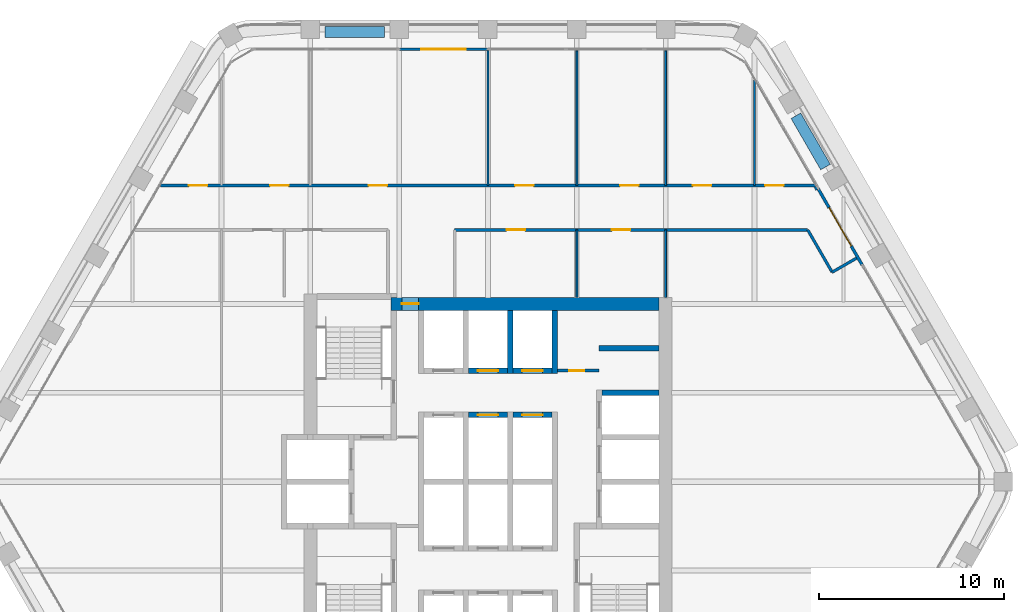
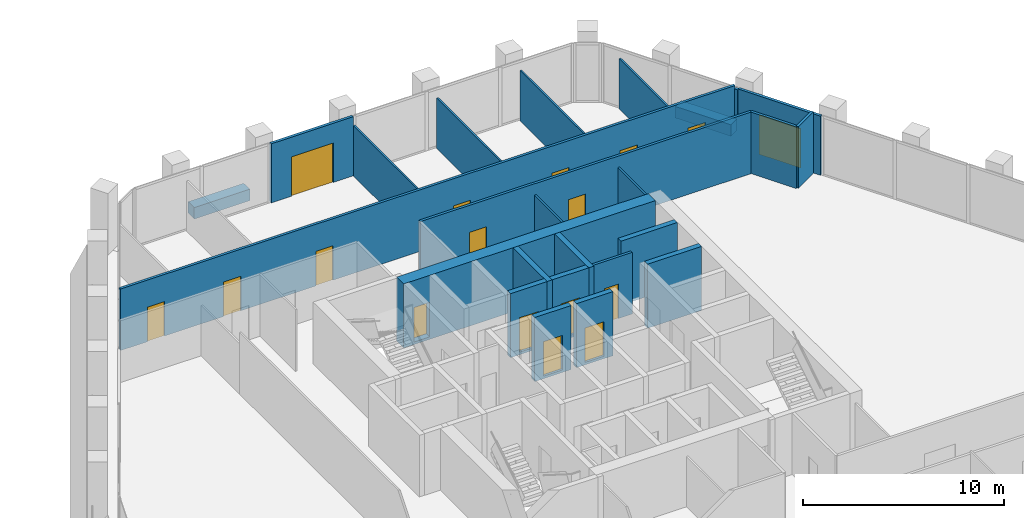
# One storey, part 12 of 16: 25 walls, 17 doors, 17 openings.
"""IFC4 building model written with IfcOpenShell, lengths in metres."""

from ifc_helpers import new_model, si_unit, direction, frame, frame_2d, origin, place, context, subcontext, project, spatial, rectangle, extrude, material, layer, layer_set, type_object, element, fill, save


model = new_model("IFC4")

# Units and contexts
model_context = context("Model", 3, precision=1e-05, world=origin(), true_north=direction((0.0, 1.0)))
body_context = subcontext(model_context, "Body", "Model", "MODEL_VIEW")
ifc_project = project(units=[si_unit("LENGTHUNIT", "METRE"), si_unit("AREAUNIT", "SQUARE_METRE"), si_unit("VOLUMEUNIT", "CUBIC_METRE"), si_unit("PLANEANGLEUNIT", "RADIAN"), si_unit("MASSUNIT", "GRAM", prefix="KILO")], contexts=[model_context])

# Site, building, storey
site_placement = place(None, origin())
site = spatial("IfcSite", under=ifc_project, at=site_placement, CompositionType="ELEMENT")
building_placement = place(site_placement, origin())
building = spatial("IfcBuilding", under=site, at=building_placement, Name="Kolab Exchange Tower", CompositionType="ELEMENT")
storey_placement = place(building_placement, frame((0.0, 0.0, 209.0)))
storey = spatial("IfcBuildingStorey", under=building, at=storey_placement, Name="L45", CompositionType="ELEMENT", Elevation=209.0)

# Wall, opening, door
ifc_material_1 = material(Name="Concrete C60/75", Category="concrete")
ifc_layer_1 = layer(ifc_material_1, 0.699951171875)
ifc_layer_set_1 = layer_set([ifc_layer_1], Name="Concrete C60/75")
wall_type_1 = type_object("IfcWallType", Name="CORE WALL 700 C60/75", PredefinedType="SHEAR", material=ifc_layer_set_1)
wall_1_placement = place(storey_placement, frame((-5.25, 9.60009765625, -0.14990234375), z_axis=(0.0, 0.0, 1.0), x_axis=(1.0, 0.0, 0.0)))
wall_1 = element("IfcWall", 1, at=wall_1_placement, inside=storey, type_object=wall_type_1, Name="wall/L45/core/031", PredefinedType="SHEAR", context=body_context, shape_type="SweptSolid", body=[
    extrude(rectangle(XDim=14.5, YDim=0.699951171875, at=frame_2d((7.25, 0.0))), origin(), (0.0, 0.0, 1.0), 3.89990234375),
])
opening_1_placement = place(wall_1_placement, frame((0.60009765625, 0.0, 0.14990234375)))
opening_1 = element("IfcOpeningElement", 2, at=opening_1_placement, cuts=wall_1, Name="Opening D6-289", PredefinedType="OPENING", context=body_context, shape_type="SweptSolid", body=[
    extrude(rectangle(XDim=0.89990234375, YDim=2.10009765625, at=frame_2d((0.449951171875, 1.050048828125))), frame((0.0, 0.35986328125, 0.0), z_axis=(0.0, -1.0, 0.0), x_axis=(1.0, 0.0, 0.0)), (0.0, 0.0, 1.0), 0.719970703125),
])
ifc_material_2 = material(Name="Steel S235", Category="steel")
door_type_1 = type_object("IfcDoorType", Name="CORE DOOR 900 EI 120", OperationType="SINGLE_SWING_LEFT", PredefinedType="DOOR", material=ifc_material_2)
door_1_placement = place(opening_1_placement, frame((0.89990234375, 0.0, 0.0), z_axis=(0.0, 0.0, 1.0), x_axis=(-1.0, 0.0, 0.0)))
door_1 = element("IfcDoor", 3, at=door_1_placement, inside=storey, type_object=door_type_1, Name="Core lobby door", OperationType="SINGLE_SWING_RIGHT", OverallHeight=2.10009765625, OverallWidth=0.89990234375, PredefinedType="DOOR", context=body_context, shape_type="SweptSolid", body=[
    extrude(rectangle(XDim=0.89990234375, YDim=2.10009765625, at=frame_2d((0.449951171875, 1.050048828125))), frame((0.0, 0.02490234375, 0.0), z_axis=(0.0, -1.0, 0.0), x_axis=(1.0, 0.0, 0.0)), (0.0, 0.0, 1.0), 0.050048828125),
])
fill(opening_1, door_1)

ifc_material_3 = material(Name="Aluminium EN AW-6063 T6", Category="aluminium")
ifc_layer_2 = layer(ifc_material_3, 0.159912109375)
ifc_layer_set_2 = layer_set([ifc_layer_2], Name="Aluminium EN AW-6063 T6")
wall_type_2 = type_object("IfcWallType", Name="DOOR SURROUND WALL 160 ALUMINIUM FRAMED", PredefinedType="PARTITIONING", material=ifc_layer_set_2)
wall_2_placement = place(storey_placement, frame((-4.77001953125, 23.361572265625, 0.0), z_axis=(0.0, 0.0, 1.0), x_axis=(1.0, 0.0, 0.0)))
wall_2 = element("IfcWall", 4, at=wall_2_placement, inside=storey, type_object=wall_type_2, Name="Door surround wall", PredefinedType="PARTITIONING", context=body_context, shape_type="SweptSolid", body=[
    extrude(rectangle(XDim=4.739990234375, YDim=0.159912109375, at=frame_2d((2.3701171875, 0.0))), origin(), (0.0, 0.0, 1.0), 3.60009765625),
])
opening_2_placement = place(wall_2_placement, frame((1.169921875, 0.0, 0.0)))
opening_2 = element("IfcOpeningElement", 5, at=opening_2_placement, cuts=wall_2, Name="Opening GD1-070", PredefinedType="OPENING", context=body_context, shape_type="SweptSolid", body=[
    extrude(rectangle(XDim=2.39990234375, YDim=2.39990234375, at=frame_2d((1.199951171875, 1.199951171875))), frame((0.0, 0.08984375, 0.0), z_axis=(0.0, -1.0, 0.0), x_axis=(1.0, 0.0, 0.0)), (0.0, 0.0, 1.0), 0.179931640625),
])
door_type_2 = type_object("IfcDoorType", Name="LOGGIA SLIDING GLASS DOOR 2400 X 2400", OperationType="DOUBLE_DOOR_SINGLE_SWING", PredefinedType="DOOR", material=ifc_material_3)
door_2_placement = place(opening_2_placement, origin())
door_2 = element("IfcDoor", 6, at=door_2_placement, inside=storey, type_object=door_type_2, Name="Loggia door", OperationType="DOUBLE_DOOR_SLIDING", OverallHeight=2.39990234375, OverallWidth=2.39990234375, PredefinedType="DOOR", context=body_context, shape_type="SweptSolid", body=[
    extrude(rectangle(XDim=2.39990234375, YDim=2.39990234375, at=frame_2d((1.199951171875, 1.199951171875))), frame((0.0, 0.02490234375, 0.0), z_axis=(0.0, -1.0, 0.0), x_axis=(1.0, 0.0, 0.0)), (0.0, 0.0, 1.0), 0.050048828125),
])
fill(opening_2, door_2)

wall_3_placement = place(storey_placement, frame((17.8466796875, 15.811767578125, 0.0), z_axis=(0.0, 0.0, 1.0), x_axis=(0.5000167099, -0.866015756104, 0.0)))
wall_3 = element("IfcWall", 7, at=wall_3_placement, inside=storey, type_object=wall_type_2, Name="Door surround wall", PredefinedType="PARTITIONING", context=body_context, shape_type="SweptSolid", body=[
    extrude(rectangle(XDim=4.739990234375, YDim=0.159912109375, at=frame_2d((2.3701171875, 0.0))), origin(), (0.0, 0.0, 1.0), 3.60009765625),
])
opening_3_placement = place(wall_3_placement, frame((1.169921875, 0.0, 0.0)))
opening_3 = element("IfcOpeningElement", 8, at=opening_3_placement, cuts=wall_3, Name="Opening GD1-071", PredefinedType="OPENING", context=body_context, shape_type="SweptSolid", body=[
    extrude(rectangle(XDim=2.39990234375, YDim=2.39990234375, at=frame_2d((1.199951171875, 1.199951171875))), frame((0.0, 0.08984375, 0.0), z_axis=(0.0, -1.0, 0.0), x_axis=(1.0, 0.0, 0.0)), (0.0, 0.0, 1.0), 0.179931640625),
])
door_3_placement = place(opening_3_placement, origin())
door_3 = element("IfcDoor", 9, at=door_3_placement, inside=storey, type_object=door_type_2, Name="Loggia door", OperationType="DOUBLE_DOOR_SLIDING", OverallHeight=2.39990234375, OverallWidth=2.39990234375, PredefinedType="DOOR", context=body_context, shape_type="SweptSolid", body=[
    extrude(rectangle(XDim=2.39990234375, YDim=2.39990234375, at=frame_2d((1.199951171875, 1.199951171875))), frame((0.0, 0.02490234375, 0.0), z_axis=(0.0, -1.0, 0.0), x_axis=(1.0, 0.0, 0.0)), (0.0, 0.0, 1.0), 0.050048828125),
])
fill(opening_3, door_3)

# Wall
wall_4_placement = place(storey_placement, frame((17.780029296875, 15.772216796875, 0.0), z_axis=(0.0, 0.0, 1.0), x_axis=(-0.499841654076, 0.866116805547, 0.0)))
element("IfcWall", 10, at=wall_4_placement, inside=storey, type_object=wall_type_2, Name="Door surround wall", PredefinedType="PARTITIONING", context=body_context, shape_type="SweptSolid", body=[
    extrude(rectangle(XDim=0.17724609375, YDim=0.159912109375, at=frame_2d((0.088623046875, 0.0))), origin(), (0.0, 0.0, 1.0), 3.60009765625),
])

# Wall, opening, door
ifc_material_4 = material(Name="Concrete C50/60", Category="concrete")
ifc_layer_3 = layer(ifc_material_4, 0.300048828125)
ifc_layer_set_3 = layer_set([ifc_layer_3], Name="Concrete C50/60")
wall_type_3 = type_object("IfcWallType", Name="LIFT SHAFT WALL 300 C50/60", PredefinedType="STANDARD", material=ifc_layer_set_3)
wall_5_placement = place(storey_placement, frame((-1.050048828125, 3.60009765625, -0.14990234375), z_axis=(0.0, 0.0, 1.0), x_axis=(1.0, 0.0, 0.0)))
wall_5 = element("IfcWall", 11, at=wall_5_placement, inside=storey, type_object=wall_type_3, Name="wall/L45/core/024", PredefinedType="STANDARD", context=body_context, shape_type="SweptSolid", body=[
    extrude(rectangle(XDim=2.10009765625, YDim=0.300048828125, at=frame_2d((1.050048828125, 0.0))), origin(), (0.0, 0.0, 1.0), 3.89990234375),
])
opening_4_placement = place(wall_5_placement, frame((0.5, 0.0, 0.14990234375)))
opening_4 = element("IfcOpeningElement", 12, at=opening_4_placement, cuts=wall_5, Name="Opening LD1-116", PredefinedType="OPENING", context=body_context, shape_type="SweptSolid", body=[
    extrude(rectangle(XDim=1.10009765625, YDim=2.10009765625, at=frame_2d((0.550048828125, 1.050048828125))), frame((0.0, 0.16015625, 0.0), z_axis=(0.0, -1.0, 0.0), x_axis=(1.0, 0.0, 0.0)), (0.0, 0.0, 1.0), 0.320068359375),
])
ifc_material_5 = material(Name="Stainless steel 316", Category="steel")
door_type_3 = type_object("IfcDoorType", Name="LANDING DOOR 1100 PASSENGER", OperationType="DOUBLE_DOOR_SLIDING", PredefinedType="DOOR", material=ifc_material_5)
door_4_placement = place(opening_4_placement, origin())
door_4 = element("IfcDoor", 13, at=door_4_placement, inside=storey, type_object=door_type_3, Name="Landing door HR5", OperationType="DOUBLE_DOOR_SLIDING", OverallHeight=2.10009765625, OverallWidth=1.10009765625, PredefinedType="DOOR", context=body_context, shape_type="SweptSolid", body=[
    extrude(rectangle(XDim=1.10009765625, YDim=2.10009765625, at=frame_2d((0.550048828125, 1.050048828125))), frame((0.0, 0.02490234375, 0.0), z_axis=(0.0, -1.0, 0.0), x_axis=(1.0, 0.0, 0.0)), (0.0, 0.0, 1.0), 0.050048828125),
])
fill(opening_4, door_4)

wall_6_placement = place(storey_placement, frame((1.35009765625, 3.60009765625, -0.14990234375), z_axis=(0.0, 0.0, 1.0), x_axis=(1.0, 0.0, 0.0)))
wall_6 = element("IfcWall", 14, at=wall_6_placement, inside=storey, type_object=wall_type_3, Name="wall/L45/core/025", PredefinedType="STANDARD", context=body_context, shape_type="SweptSolid", body=[
    extrude(rectangle(XDim=2.099853515625, YDim=0.300048828125, at=frame_2d((1.0498046875, 0.0))), origin(), (0.0, 0.0, 1.0), 3.89990234375),
])
opening_5_placement = place(wall_6_placement, frame((0.5, 0.0, 0.14990234375)))
opening_5 = element("IfcOpeningElement", 15, at=opening_5_placement, cuts=wall_6, Name="Opening LD1-117", PredefinedType="OPENING", context=body_context, shape_type="SweptSolid", body=[
    extrude(rectangle(XDim=1.10009765625, YDim=2.10009765625, at=frame_2d((0.550048828125, 1.050048828125))), frame((0.0, 0.16015625, 0.0), z_axis=(0.0, -1.0, 0.0), x_axis=(1.0, 0.0, 0.0)), (0.0, 0.0, 1.0), 0.320068359375),
])
door_5_placement = place(opening_5_placement, origin())
door_5 = element("IfcDoor", 16, at=door_5_placement, inside=storey, type_object=door_type_3, Name="Landing door HR6", OperationType="DOUBLE_DOOR_SLIDING", OverallHeight=2.10009765625, OverallWidth=1.10009765625, PredefinedType="DOOR", context=body_context, shape_type="SweptSolid", body=[
    extrude(rectangle(XDim=1.10009765625, YDim=2.10009765625, at=frame_2d((0.550048828125, 1.050048828125))), frame((0.0, 0.02490234375, 0.0), z_axis=(0.0, -1.0, 0.0), x_axis=(1.0, 0.0, 0.0)), (0.0, 0.0, 1.0), 0.050048828125),
])
fill(opening_5, door_5)

# Wall
wall_7_placement = place(storey_placement, frame((6.14990234375, 4.800048828125, -0.14990234375), z_axis=(0.0, 0.0, 1.0), x_axis=(1.0, 0.0, 0.0)))
element("IfcWall", 17, at=wall_7_placement, inside=storey, type_object=wall_type_3, Name="wall/L45/core/026", PredefinedType="STANDARD", context=body_context, shape_type="SweptSolid", body=[
    extrude(rectangle(XDim=3.10009765625, YDim=0.300048828125, at=frame_2d((1.550048828125, 0.0))), origin(), (0.0, 0.0, 1.0), 3.89990234375),
])

# Wall, opening, door
wall_8_placement = place(storey_placement, frame((-1.050048828125, 6.0, -0.14990234375), z_axis=(0.0, 0.0, 1.0), x_axis=(1.0, 0.0, 0.0)))
wall_8 = element("IfcWall", 18, at=wall_8_placement, inside=storey, type_object=wall_type_3, Name="wall/L45/core/028", PredefinedType="STANDARD", context=body_context, shape_type="SweptSolid", body=[
    extrude(rectangle(XDim=2.10009765625, YDim=0.300048828125, at=frame_2d((1.050048828125, 0.0))), origin(), (0.0, 0.0, 1.0), 3.89990234375),
])
opening_6_placement = place(wall_8_placement, frame((0.5, 0.0, 0.14990234375)))
opening_6 = element("IfcOpeningElement", 19, at=opening_6_placement, cuts=wall_8, Name="Opening LD1-113", PredefinedType="OPENING", context=body_context, shape_type="SweptSolid", body=[
    extrude(rectangle(XDim=1.10009765625, YDim=2.10009765625, at=frame_2d((0.550048828125, 1.050048828125))), frame((0.0, 0.16015625, 0.0), z_axis=(0.0, -1.0, 0.0), x_axis=(1.0, 0.0, 0.0)), (0.0, 0.0, 1.0), 0.320068359375),
])
door_6_placement = place(opening_6_placement, origin())
door_6 = element("IfcDoor", 20, at=door_6_placement, inside=storey, type_object=door_type_3, Name="Landing door HR2", OperationType="DOUBLE_DOOR_SLIDING", OverallHeight=2.10009765625, OverallWidth=1.10009765625, PredefinedType="DOOR", context=body_context, shape_type="SweptSolid", body=[
    extrude(rectangle(XDim=1.10009765625, YDim=2.10009765625, at=frame_2d((0.550048828125, 1.050048828125))), frame((0.0, 0.02490234375, 0.0), z_axis=(0.0, -1.0, 0.0), x_axis=(1.0, 0.0, 0.0)), (0.0, 0.0, 1.0), 0.050048828125),
])
fill(opening_6, door_6)

wall_9_placement = place(storey_placement, frame((1.35009765625, 6.0, -0.14990234375), z_axis=(0.0, 0.0, 1.0), x_axis=(1.0, 0.0, 0.0)))
wall_9 = element("IfcWall", 21, at=wall_9_placement, inside=storey, type_object=wall_type_3, Name="wall/L45/core/029", PredefinedType="STANDARD", context=body_context, shape_type="SweptSolid", body=[
    extrude(rectangle(XDim=2.099853515625, YDim=0.300048828125, at=frame_2d((1.0498046875, 0.0))), origin(), (0.0, 0.0, 1.0), 3.89990234375),
])
opening_7_placement = place(wall_9_placement, frame((0.5, 0.0, 0.14990234375)))
opening_7 = element("IfcOpeningElement", 22, at=opening_7_placement, cuts=wall_9, Name="Opening LD1-114", PredefinedType="OPENING", context=body_context, shape_type="SweptSolid", body=[
    extrude(rectangle(XDim=1.10009765625, YDim=2.10009765625, at=frame_2d((0.550048828125, 1.050048828125))), frame((0.0, 0.16015625, 0.0), z_axis=(0.0, -1.0, 0.0), x_axis=(1.0, 0.0, 0.0)), (0.0, 0.0, 1.0), 0.320068359375),
])
door_7_placement = place(opening_7_placement, origin())
door_7 = element("IfcDoor", 23, at=door_7_placement, inside=storey, type_object=door_type_3, Name="Landing door HR3", OperationType="DOUBLE_DOOR_SLIDING", OverallHeight=2.10009765625, OverallWidth=1.10009765625, PredefinedType="DOOR", context=body_context, shape_type="SweptSolid", body=[
    extrude(rectangle(XDim=1.10009765625, YDim=2.10009765625, at=frame_2d((0.550048828125, 1.050048828125))), frame((0.0, 0.02490234375, 0.0), z_axis=(0.0, -1.0, 0.0), x_axis=(1.0, 0.0, 0.0)), (0.0, 0.0, 1.0), 0.050048828125),
])
fill(opening_7, door_7)

# Walls
wall_10_placement = place(storey_placement, frame((6.0, 7.199951171875, -0.14990234375), z_axis=(0.0, 0.0, 1.0), x_axis=(1.0, 0.0, 0.0)))
element("IfcWall", 24, at=wall_10_placement, inside=storey, type_object=wall_type_3, Name="wall/L45/core/030", PredefinedType="STANDARD", context=body_context, shape_type="SweptSolid", body=[
    extrude(rectangle(XDim=3.25, YDim=0.300048828125, at=frame_2d((1.625, 0.0))), origin(), (0.0, 0.0, 1.0), 3.89990234375),
])
for number, where, z_axis, x_axis, name in (
    (25, (1.199951171875, 5.85009765625, -0.14990234375), (0.0, 0.0, 1.0), (0.0, 1.0, 0.0), "wall/L45/core/051"),
    (26, (3.60009765625, 5.85009765625, -0.14990234375), (0.0, 0.0, 1.0), (0.0, 1.0, 0.0), "wall/L45/core/054"),
):
    element("IfcWall", number, at=place(storey_placement, frame(where, z_axis=z_axis, x_axis=x_axis)), inside=storey, type_object=wall_type_3, Name=name, PredefinedType="STANDARD", context=body_context, shape_type="SweptSolid", body=[
        extrude(rectangle(XDim=3.39990234375, YDim=0.300048828125, at=frame_2d((1.699951171875, 0.0))), origin(), (0.0, 0.0, 1.0), 3.89990234375),
    ])
ifc_material_6 = material(Name="Gypsum board", Category="gypsum")
ifc_layer_4 = layer(ifc_material_6, 0.10009765625)
ifc_layer_set_4 = layer_set([ifc_layer_4], Name="Gypsum board")
wall_type_4 = type_object("IfcWallType", Name="PARTITION 100", PredefinedType="PARTITIONING", material=ifc_layer_set_4)
wall_11_placement = place(storey_placement, frame((14.39990234375, 16.0, 0.0), z_axis=(0.0, 0.0, 1.0), x_axis=(0.0, 1.0, 0.0)))
element("IfcWall", 27, at=wall_11_placement, inside=storey, type_object=wall_type_4, Name="Partition 000", PredefinedType="PARTITIONING", context=body_context, shape_type="SweptSolid", body=[
    extrude(rectangle(XDim=5.701416015625, YDim=0.10009765625, at=frame_2d((2.8505859375, 0.0))), origin(), (0.0, 0.0, 1.0), 3.06591796875),
])
wall_12_placement = place(storey_placement, frame((9.60009765625, 9.949951171875, 0.0), z_axis=(0.0, 0.0, 1.0), x_axis=(0.0, 1.0, 0.0)))
element("IfcWall", 28, at=wall_12_placement, inside=storey, type_object=wall_type_4, Name="Partition 003", PredefinedType="PARTITIONING", context=body_context, shape_type="SweptSolid", body=[
    extrude(rectangle(XDim=3.650146484375, YDim=0.10009765625, at=frame_2d((1.8251953125, 0.0))), origin(), (0.0, 0.0, 1.0), 3.06591796875),
])
wall_13_placement = place(storey_placement, frame((9.60009765625, 16.0, 0.0), z_axis=(0.0, 0.0, 1.0), x_axis=(0.0, 1.0, 0.0)))
element("IfcWall", 29, at=wall_13_placement, inside=storey, type_object=wall_type_4, Name="Partition 004", PredefinedType="PARTITIONING", context=body_context, shape_type="SweptSolid", body=[
    extrude(rectangle(XDim=7.271484375, YDim=0.10009765625, at=frame_2d((3.6357421875, 0.0))), origin(), (0.0, 0.0, 1.0), 3.06591796875),
])
wall_14_placement = place(storey_placement, frame((4.800048828125, 9.949951171875, 0.0), z_axis=(0.0, 0.0, 1.0), x_axis=(0.0, 1.0, 0.0)))
element("IfcWall", 30, at=wall_14_placement, inside=storey, type_object=wall_type_4, Name="Partition 006", PredefinedType="PARTITIONING", context=body_context, shape_type="SweptSolid", body=[
    extrude(rectangle(XDim=3.650146484375, YDim=0.10009765625, at=frame_2d((1.8251953125, 0.0))), origin(), (0.0, 0.0, 1.0), 3.06591796875),
])
wall_15_placement = place(storey_placement, frame((4.800048828125, 16.0, 0.0), z_axis=(0.0, 0.0, 1.0), x_axis=(0.0, 1.0, 0.0)))
element("IfcWall", 31, at=wall_15_placement, inside=storey, type_object=wall_type_4, Name="Partition 007", PredefinedType="PARTITIONING", context=body_context, shape_type="SweptSolid", body=[
    extrude(rectangle(XDim=7.271484375, YDim=0.10009765625, at=frame_2d((3.6357421875, 0.0))), origin(), (0.0, 0.0, 1.0), 3.06591796875),
])
wall_16_placement = place(storey_placement, frame((0.0, 16.0, 0.0), z_axis=(0.0, 0.0, 1.0), x_axis=(0.0, 1.0, 0.0)))
element("IfcWall", 32, at=wall_16_placement, inside=storey, type_object=wall_type_4, Name="Partition 011", PredefinedType="PARTITIONING", context=body_context, shape_type="SweptSolid", body=[
    extrude(rectangle(XDim=7.281494140625, YDim=0.10009765625, at=frame_2d((3.640625, 0.0))), origin(), (0.0, 0.0, 1.0), 3.06591796875),
])
ifc_layer_5 = layer(ifc_material_6, 0.14990234375)
ifc_layer_set_5 = layer_set([ifc_layer_5], Name="Gypsum board")
wall_type_5 = type_object("IfcWallType", Name="PARTITION 150 FIRE-RATED", PredefinedType="PARTITIONING", material=ifc_layer_set_5)
wall_17_placement = place(storey_placement, frame((17.276123046875, 13.60009765625, 0.0), z_axis=(0.0, 0.0, 1.0), x_axis=(0.499938597367, -0.866060851709, 0.0)))
element("IfcWall", 33, at=wall_17_placement, inside=storey, type_object=wall_type_5, Name="Partition 025", PredefinedType="PARTITIONING", context=body_context, shape_type="SweptSolid", body=[
    extrude(rectangle(XDim=2.639892578125, YDim=0.14990234375, at=frame_2d((1.31982421875, 0.0))), origin(), (0.0, 0.0, 1.0), 3.75),
])
wall_18_placement = place(storey_placement, frame((18.595947265625, 11.313720703125, 0.0), z_axis=(0.0, 0.0, 1.0), x_axis=(0.866030456496, 0.499991248344, 0.0)))
element("IfcWall", 34, at=wall_18_placement, inside=storey, type_object=wall_type_5, Name="Partition 027", PredefinedType="PARTITIONING", context=body_context, shape_type="SweptSolid", body=[
    extrude(rectangle(XDim=1.52001953125, YDim=0.14990234375, at=frame_2d((0.760009765625, 0.0))), origin(), (0.0, 0.0, 1.0), 3.75),
])

# Wall, opening, door
wall_19_placement = place(storey_placement, frame((3.75, 6.0, 0.0), z_axis=(0.0, 0.0, 1.0), x_axis=(1.0, 0.0, 0.0)))
wall_19 = element("IfcWall", 35, at=wall_19_placement, inside=storey, type_object=wall_type_5, Name="Partition 033", PredefinedType="PARTITIONING", context=body_context, shape_type="SweptSolid", body=[
    extrude(rectangle(XDim=2.25, YDim=0.14990234375, at=frame_2d((1.125, 0.0))), origin(), (0.0, 0.0, 1.0), 3.75),
])
opening_8_placement = place(wall_19_placement, frame((0.64990234375, 0.0, 0.0)))
opening_8 = element("IfcOpeningElement", 36, at=opening_8_placement, cuts=wall_19, Name="Opening D7-036", PredefinedType="OPENING", context=body_context, shape_type="SweptSolid", body=[
    extrude(rectangle(XDim=0.800048828125, YDim=2.10009765625, at=frame_2d((0.39990234375, 1.050048828125))), frame((0.0, 0.0849609375, 0.0), z_axis=(0.0, -1.0, 0.0), x_axis=(1.0, 0.0, 0.0)), (0.0, 0.0, 1.0), 0.169921875),
])
door_type_4 = type_object("IfcDoorType", Name="FLUSH DOOR 800 FD60", OperationType="SINGLE_SWING_LEFT", PredefinedType="DOOR", material=ifc_material_2)
door_8_placement = place(opening_8_placement, origin())
door_8 = element("IfcDoor", 37, at=door_8_placement, inside=storey, type_object=door_type_4, Name="Door L45-023", OperationType="SINGLE_SWING_LEFT", OverallHeight=2.10009765625, OverallWidth=0.800048828125, PredefinedType="DOOR", context=body_context, shape_type="SweptSolid", body=[
    extrude(rectangle(XDim=0.800048828125, YDim=2.10009765625, at=frame_2d((0.39990234375, 1.050048828125))), frame((0.0, 0.02490234375, 0.0), z_axis=(0.0, -1.0, 0.0), x_axis=(1.0, 0.0, 0.0)), (0.0, 0.0, 1.0), 0.050048828125),
])
fill(opening_8, door_8)

# Wall, openings, doors
wall_20_placement = place(storey_placement, frame((-1.800048828125, 13.60009765625, 0.0), z_axis=(0.0, 0.0, 1.0), x_axis=(1.0, 0.0, 0.0)))
wall_20 = element("IfcWall", 38, at=wall_20_placement, inside=storey, type_object=wall_type_5, Name="Partition 035", PredefinedType="PARTITIONING", context=body_context, shape_type="SweptSolid", body=[
    extrude(rectangle(XDim=19.076171875, YDim=0.14990234375, at=frame_2d((9.5380859375, 0.0))), origin(), (0.0, 0.0, 1.0), 3.75),
])
opening_9_placement = place(wall_20_placement, frame((2.800048828125, 0.0, 0.0)))
opening_9 = element("IfcOpeningElement", 39, at=opening_9_placement, cuts=wall_20, Name="Opening D1-473", PredefinedType="OPENING", context=body_context, shape_type="SweptSolid", body=[
    extrude(rectangle(XDim=1.0, YDim=2.10009765625, at=frame_2d((0.5, 1.050048828125))), frame((0.0, 0.0849609375, 0.0), z_axis=(0.0, -1.0, 0.0), x_axis=(1.0, 0.0, 0.0)), (0.0, 0.0, 1.0), 0.169921875),
])
opening_10_placement = place(wall_20_placement, frame((8.5, 0.0, 0.0)))
opening_10 = element("IfcOpeningElement", 40, at=opening_10_placement, cuts=wall_20, Name="Opening D1-569", PredefinedType="OPENING", context=body_context, shape_type="SweptSolid", body=[
    extrude(rectangle(XDim=1.0, YDim=2.10009765625, at=frame_2d((0.5, 1.050048828125))), frame((0.0, 0.0849609375, 0.0), z_axis=(0.0, -1.0, 0.0), x_axis=(1.0, 0.0, 0.0)), (0.0, 0.0, 1.0), 0.169921875),
])
door_type_5 = type_object("IfcDoorType", Name="FLUSH DOOR 1000 FD60", OperationType="SINGLE_SWING_LEFT", PredefinedType="DOOR", material=ifc_material_2)
door_9_placement = place(opening_9_placement, frame((1.0, 0.0, 0.0), z_axis=(0.0, 0.0, 1.0), x_axis=(-1.0, 0.0, 0.0)))
door_9 = element("IfcDoor", 41, at=door_9_placement, inside=storey, type_object=door_type_5, Name="Door L45-031", OperationType="SINGLE_SWING_LEFT", OverallHeight=2.10009765625, OverallWidth=1.0, PredefinedType="DOOR", context=body_context, shape_type="SweptSolid", body=[
    extrude(rectangle(XDim=1.0, YDim=2.10009765625, at=frame_2d((0.5, 1.050048828125))), frame((0.0, 0.02490234375, 0.0), z_axis=(0.0, -1.0, 0.0), x_axis=(1.0, 0.0, 0.0)), (0.0, 0.0, 1.0), 0.050048828125),
])
fill(opening_9, door_9)
door_10_placement = place(opening_10_placement, frame((1.0, 0.0, 0.0), z_axis=(0.0, 0.0, 1.0), x_axis=(-1.0, 0.0, 0.0)))
door_10 = element("IfcDoor", 42, at=door_10_placement, inside=storey, type_object=door_type_5, Name="Door L45-032", OperationType="SINGLE_SWING_RIGHT", OverallHeight=2.10009765625, OverallWidth=1.0, PredefinedType="DOOR", context=body_context, shape_type="SweptSolid", body=[
    extrude(rectangle(XDim=1.0, YDim=2.10009765625, at=frame_2d((0.5, 1.050048828125))), frame((0.0, 0.02490234375, 0.0), z_axis=(0.0, -1.0, 0.0), x_axis=(1.0, 0.0, 0.0)), (0.0, 0.0, 1.0), 0.050048828125),
])
fill(opening_10, door_10)

wall_21_placement = place(storey_placement, frame((-17.69189453125, 16.0, 0.0), z_axis=(0.0, 0.0, 1.0), x_axis=(1.0, 0.0, 0.0)))
wall_21 = element("IfcWall", 43, at=wall_21_placement, inside=storey, type_object=wall_type_5, Name="Partition 036", PredefinedType="PARTITIONING", context=body_context, shape_type="SweptSolid", body=[
    extrude(rectangle(XDim=35.3837890625, YDim=0.14990234375, at=frame_2d((17.69189453125, 0.0))), origin(), (0.0, 0.0, 1.0), 3.75),
])
opening_11_placement = place(wall_21_placement, frame((1.5341796875, 0.0, 0.0)))
opening_11 = element("IfcOpeningElement", 44, at=opening_11_placement, cuts=wall_21, Name="Opening D1-572", PredefinedType="OPENING", context=body_context, shape_type="SweptSolid", body=[
    extrude(rectangle(XDim=1.0, YDim=2.10009765625, at=frame_2d((0.5, 1.050048828125))), frame((0.0, 0.0849609375, 0.0), z_axis=(0.0, -1.0, 0.0), x_axis=(1.0, 0.0, 0.0)), (0.0, 0.0, 1.0), 0.169921875),
])
opening_12_placement = place(wall_21_placement, frame((5.916748046875, 0.0, 0.0)))
opening_12 = element("IfcOpeningElement", 45, at=opening_12_placement, cuts=wall_21, Name="Opening D1-573", PredefinedType="OPENING", context=body_context, shape_type="SweptSolid", body=[
    extrude(rectangle(XDim=1.0, YDim=2.10009765625, at=frame_2d((0.5, 1.050048828125))), frame((0.0, 0.0849609375, 0.0), z_axis=(0.0, -1.0, 0.0), x_axis=(1.0, 0.0, 0.0)), (0.0, 0.0, 1.0), 0.169921875),
])
opening_13_placement = place(wall_21_placement, frame((11.23681640625, 0.0, 0.0)))
opening_13 = element("IfcOpeningElement", 46, at=opening_13_placement, cuts=wall_21, Name="Opening D1-574", PredefinedType="OPENING", context=body_context, shape_type="SweptSolid", body=[
    extrude(rectangle(XDim=1.0, YDim=2.10009765625, at=frame_2d((0.5, 1.050048828125))), frame((0.0, 0.0849609375, 0.0), z_axis=(0.0, -1.0, 0.0), x_axis=(1.0, 0.0, 0.0)), (0.0, 0.0, 1.0), 0.169921875),
])
opening_14_placement = place(wall_21_placement, frame((19.15673828125, 0.0, 0.0)))
opening_14 = element("IfcOpeningElement", 47, at=opening_14_placement, cuts=wall_21, Name="Opening D1-575", PredefinedType="OPENING", context=body_context, shape_type="SweptSolid", body=[
    extrude(rectangle(XDim=1.0, YDim=2.10009765625, at=frame_2d((0.5, 1.050048828125))), frame((0.0, 0.0849609375, 0.0), z_axis=(0.0, -1.0, 0.0), x_axis=(1.0, 0.0, 0.0)), (0.0, 0.0, 1.0), 0.169921875),
])
opening_15_placement = place(wall_21_placement, frame((24.826904296875, 0.0, 0.0)))
opening_15 = element("IfcOpeningElement", 48, at=opening_15_placement, cuts=wall_21, Name="Opening D1-576", PredefinedType="OPENING", context=body_context, shape_type="SweptSolid", body=[
    extrude(rectangle(XDim=1.0, YDim=2.10009765625, at=frame_2d((0.5, 1.050048828125))), frame((0.0, 0.0849609375, 0.0), z_axis=(0.0, -1.0, 0.0), x_axis=(1.0, 0.0, 0.0)), (0.0, 0.0, 1.0), 0.169921875),
])
opening_16_placement = place(wall_21_placement, frame((28.7568359375, 0.0, 0.0)))
opening_16 = element("IfcOpeningElement", 49, at=opening_16_placement, cuts=wall_21, Name="Opening D1-577", PredefinedType="OPENING", context=body_context, shape_type="SweptSolid", body=[
    extrude(rectangle(XDim=1.0, YDim=2.10009765625, at=frame_2d((0.5, 1.050048828125))), frame((0.0, 0.0849609375, 0.0), z_axis=(0.0, -1.0, 0.0), x_axis=(1.0, 0.0, 0.0)), (0.0, 0.0, 1.0), 0.169921875),
])
opening_17_placement = place(wall_21_placement, frame((32.66650390625, 0.0, 0.0)))
opening_17 = element("IfcOpeningElement", 50, at=opening_17_placement, cuts=wall_21, Name="Opening D1-578", PredefinedType="OPENING", context=body_context, shape_type="SweptSolid", body=[
    extrude(rectangle(XDim=1.0, YDim=2.10009765625, at=frame_2d((0.5, 1.050048828125))), frame((0.0, 0.0849609375, 0.0), z_axis=(0.0, -1.0, 0.0), x_axis=(1.0, 0.0, 0.0)), (0.0, 0.0, 1.0), 0.169921875),
])
door_11_placement = place(opening_11_placement, origin())
door_11 = element("IfcDoor", 51, at=door_11_placement, inside=storey, type_object=door_type_5, Name="Door L45-038", OperationType="SINGLE_SWING_RIGHT", OverallHeight=2.10009765625, OverallWidth=1.0, PredefinedType="DOOR", context=body_context, shape_type="SweptSolid", body=[
    extrude(rectangle(XDim=1.0, YDim=2.10009765625, at=frame_2d((0.5, 1.050048828125))), frame((0.0, 0.02490234375, 0.0), z_axis=(0.0, -1.0, 0.0), x_axis=(1.0, 0.0, 0.0)), (0.0, 0.0, 1.0), 0.050048828125),
])
fill(opening_11, door_11)
door_12_placement = place(opening_12_placement, origin())
door_12 = element("IfcDoor", 52, at=door_12_placement, inside=storey, type_object=door_type_5, Name="Door L45-039", OperationType="SINGLE_SWING_RIGHT", OverallHeight=2.10009765625, OverallWidth=1.0, PredefinedType="DOOR", context=body_context, shape_type="SweptSolid", body=[
    extrude(rectangle(XDim=1.0, YDim=2.10009765625, at=frame_2d((0.5, 1.050048828125))), frame((0.0, 0.02490234375, 0.0), z_axis=(0.0, -1.0, 0.0), x_axis=(1.0, 0.0, 0.0)), (0.0, 0.0, 1.0), 0.050048828125),
])
fill(opening_12, door_12)
door_13_placement = place(opening_13_placement, origin())
door_13 = element("IfcDoor", 53, at=door_13_placement, inside=storey, type_object=door_type_5, Name="Door L45-040", OperationType="SINGLE_SWING_LEFT", OverallHeight=2.10009765625, OverallWidth=1.0, PredefinedType="DOOR", context=body_context, shape_type="SweptSolid", body=[
    extrude(rectangle(XDim=1.0, YDim=2.10009765625, at=frame_2d((0.5, 1.050048828125))), frame((0.0, 0.02490234375, 0.0), z_axis=(0.0, -1.0, 0.0), x_axis=(1.0, 0.0, 0.0)), (0.0, 0.0, 1.0), 0.050048828125),
])
fill(opening_13, door_13)
door_14_placement = place(opening_14_placement, origin())
door_14 = element("IfcDoor", 54, at=door_14_placement, inside=storey, type_object=door_type_5, Name="Door L45-041", OperationType="SINGLE_SWING_LEFT", OverallHeight=2.10009765625, OverallWidth=1.0, PredefinedType="DOOR", context=body_context, shape_type="SweptSolid", body=[
    extrude(rectangle(XDim=1.0, YDim=2.10009765625, at=frame_2d((0.5, 1.050048828125))), frame((0.0, 0.02490234375, 0.0), z_axis=(0.0, -1.0, 0.0), x_axis=(1.0, 0.0, 0.0)), (0.0, 0.0, 1.0), 0.050048828125),
])
fill(opening_14, door_14)
door_15_placement = place(opening_15_placement, origin())
door_15 = element("IfcDoor", 55, at=door_15_placement, inside=storey, type_object=door_type_5, Name="Door L45-042", OperationType="SINGLE_SWING_RIGHT", OverallHeight=2.10009765625, OverallWidth=1.0, PredefinedType="DOOR", context=body_context, shape_type="SweptSolid", body=[
    extrude(rectangle(XDim=1.0, YDim=2.10009765625, at=frame_2d((0.5, 1.050048828125))), frame((0.0, 0.02490234375, 0.0), z_axis=(0.0, -1.0, 0.0), x_axis=(1.0, 0.0, 0.0)), (0.0, 0.0, 1.0), 0.050048828125),
])
fill(opening_15, door_15)
door_16_placement = place(opening_16_placement, origin())
door_16 = element("IfcDoor", 56, at=door_16_placement, inside=storey, type_object=door_type_5, Name="Door L45-043", OperationType="SINGLE_SWING_LEFT", OverallHeight=2.10009765625, OverallWidth=1.0, PredefinedType="DOOR", context=body_context, shape_type="SweptSolid", body=[
    extrude(rectangle(XDim=1.0, YDim=2.10009765625, at=frame_2d((0.5, 1.050048828125))), frame((0.0, 0.02490234375, 0.0), z_axis=(0.0, -1.0, 0.0), x_axis=(1.0, 0.0, 0.0)), (0.0, 0.0, 1.0), 0.050048828125),
])
fill(opening_16, door_16)
door_17_placement = place(opening_17_placement, origin())
door_17 = element("IfcDoor", 57, at=door_17_placement, inside=storey, type_object=door_type_5, Name="Door L45-044", OperationType="SINGLE_SWING_LEFT", OverallHeight=2.10009765625, OverallWidth=1.0, PredefinedType="DOOR", context=body_context, shape_type="SweptSolid", body=[
    extrude(rectangle(XDim=1.0, YDim=2.10009765625, at=frame_2d((0.5, 1.050048828125))), frame((0.0, 0.02490234375, 0.0), z_axis=(0.0, -1.0, 0.0), x_axis=(1.0, 0.0, 0.0)), (0.0, 0.0, 1.0), 0.050048828125),
])
fill(opening_17, door_17)

# Walls
ifc_material_7 = material(Name="Granite facing", Category="masonry")
ifc_layer_6 = layer(ifc_material_7, 0.0400390625)
ifc_material_8 = material(Name="Concrete C40/50 precast", Category="concrete")
ifc_layer_7 = layer(ifc_material_8, 0.56005859375)
ifc_layer_set_6 = layer_set([ifc_layer_6, ifc_layer_7], Name="Concrete C40/50 precast")
wall_type_6 = type_object("IfcWallType", Name="PLANTER BOX 600 X 700 SOIL DEPTH 550", PredefinedType="USERDEFINED", material=ifc_layer_set_6)
for number, where, z_axis, x_axis, name in (
    (58, (-8.800048828125, 24.29150390625, 0.0), (0.0, 0.0, 1.0), (1.0, 0.0, 0.0), "Planter"),
    (59, (16.636962890625, 19.766845703125, 0.0), (0.0, 0.0, 1.0), (0.500028443584, -0.866008981251, 0.0), "Planter"),
):
    element("IfcWall", number, at=place(storey_placement, frame(where, z_axis=z_axis, x_axis=x_axis)), inside=storey, type_object=wall_type_6, Name=name, ObjectType="PLANTER", PredefinedType="USERDEFINED", context=body_context, shape_type="SweptSolid", body=[
        extrude(rectangle(XDim=3.199951171875, YDim=0.60009765625, at=frame_2d((1.60009765625, 0.0))), origin(), (0.0, 0.0, 1.0), 0.699951171875),
    ])

save(model, "model.ifc")
